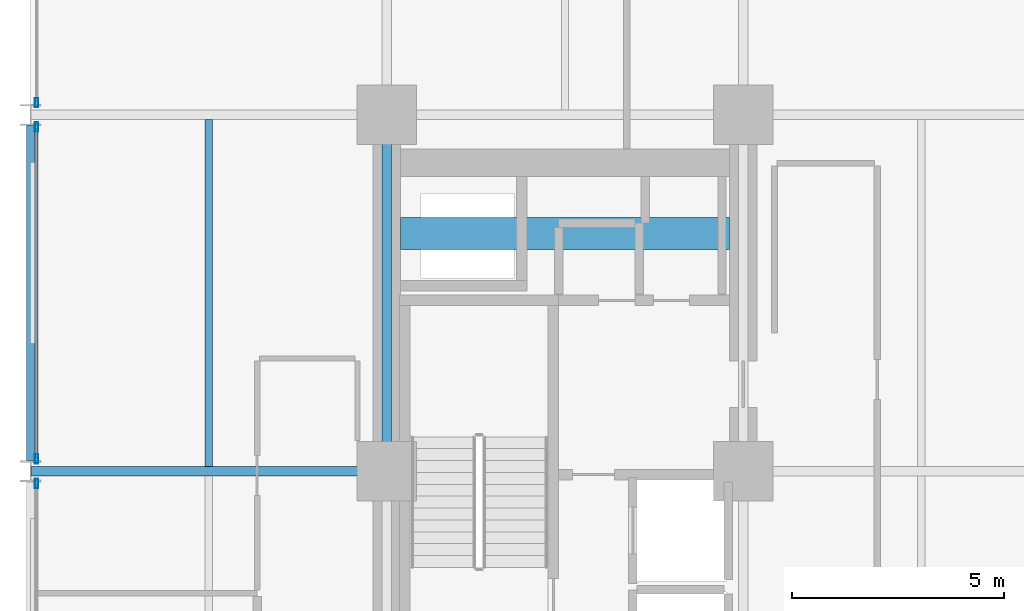
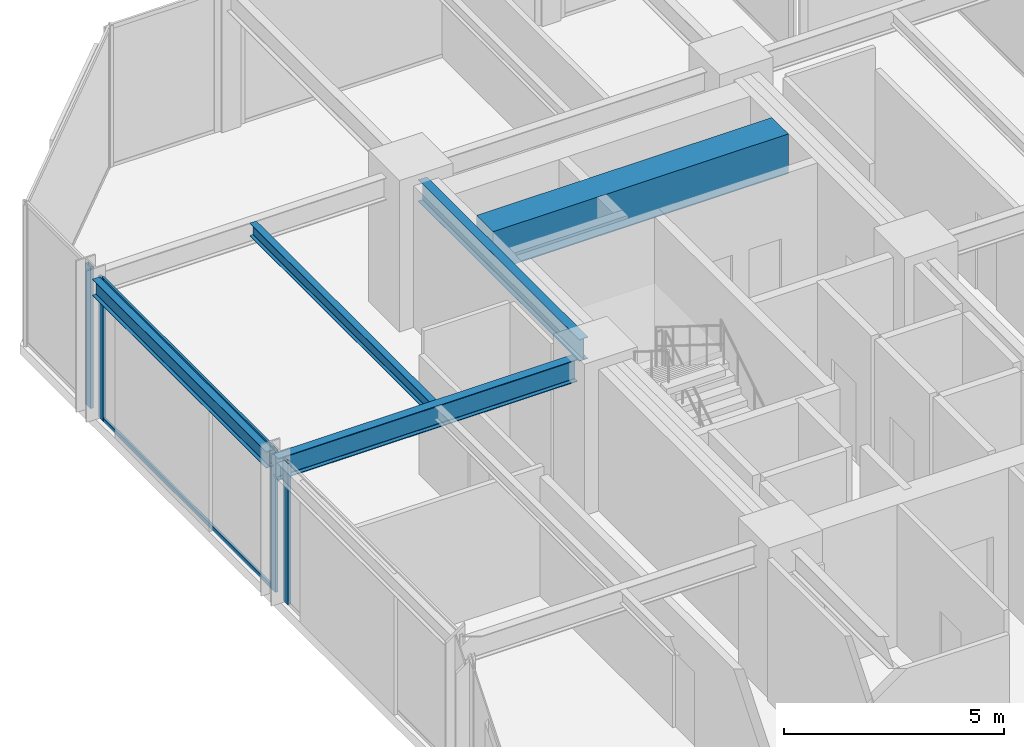
# One storey, part 14 of 24: 6 members, 5 beams, 3 elements without a shape of their own.
"""IFC4 building model written with IfcOpenShell, lengths in metres."""

from ifc_helpers import new_model, si_unit, direction, frame, origin, origin_2d, place, context, subcontext, project, spatial, rectangle, hollow_rectangle, i_section, extrude, material, layer, layer_set, material_profile, profile_set, type_object, element, aggregate, save


model = new_model("IFC4")

# Units and contexts
model_context = context("Model", 3, precision=1e-05, world=origin(), true_north=direction((0.0, 1.0)))
body_context = subcontext(model_context, "Body", "Model", "MODEL_VIEW")
ifc_project = project(units=[si_unit("LENGTHUNIT", "METRE"), si_unit("AREAUNIT", "SQUARE_METRE"), si_unit("VOLUMEUNIT", "CUBIC_METRE"), si_unit("PLANEANGLEUNIT", "RADIAN"), si_unit("MASSUNIT", "GRAM", prefix="KILO")], contexts=[model_context])

# Site, building, storey
site_placement = place(None, origin())
site = spatial("IfcSite", under=ifc_project, at=site_placement, CompositionType="ELEMENT")
building_placement = place(site_placement, origin())
building = spatial("IfcBuilding", under=site, at=building_placement, Name="Nerrivon Quay Data Exchange", CompositionType="ELEMENT")
storey_placement = place(building_placement, frame((0.0, 0.0, 50.0)))
storey = spatial("IfcBuildingStorey", under=building, at=storey_placement, Name="L11", CompositionType="ELEMENT", Elevation=50.0)

# Beams
ifc_material_1 = material(Name="Concrete S65 (65 MPa)", Category="concrete")
ifc_material_profile_1 = material_profile(ifc_material_1, rectangle(XDim=0.75, YDim=1.10009765625, at=origin_2d()), Name="RC-CB-750x1100")
ifc_profile_set_1 = profile_set([ifc_material_profile_1], Name="Concrete S65 (65 MPa)")
beam_type_1 = type_object("IfcBeamType", Name="BM-CB1-750x1100", PredefinedType="LINTEL", material=ifc_profile_set_1)
beam_1_placement = place(storey_placement, frame((8.72509765625, 39.199951171875, 3.375), z_axis=(1.0, 0.0, 0.0), x_axis=(0.0, 1.0, 0.0)))
element("IfcBeam", 1, at=beam_1_placement, inside=storey, type_object=beam_type_1, Name="L11 West Core Coupling Beam", PredefinedType="LINTEL", context=body_context, shape_type="SweptSolid", body=[
    extrude(rectangle(XDim=0.75, YDim=1.10009765625, at=origin_2d()), origin(), (0.0, 0.0, 1.0), 7.75),
])
ifc_material_2 = material(Name="Steel Grade 350", Category="steel")
ifc_material_profile_2 = material_profile(ifc_material_2, i_section(OverallWidth=0.22900390625, OverallDepth=0.612060546875, WebThickness=0.011962890625, FlangeThickness=0.01953125, FilletRadius=0.013916015625, at=origin_2d()), Name="610UB125")
ifc_profile_set_2 = profile_set([ifc_material_profile_2], Name="Steel Grade 350")
beam_type_2 = type_object("IfcBeamType", Name="BM-G1-610UB125", PredefinedType="BEAM", material=ifc_profile_set_2)
beam_2_placement = place(storey_placement, frame((0.013916015625, 33.60009765625, 3.618896484375), z_axis=(1.0, 0.0, 0.0), x_axis=(0.0, 1.0, 0.0)))
element("IfcBeam", 2, at=beam_2_placement, inside=storey, type_object=beam_type_2, Name="L11 EW Girder Y=33.6 (0.0..8.4)", PredefinedType="BEAM", context=body_context, shape_type="SweptSolid", body=[
    extrude(i_section(OverallWidth=0.22900390625, OverallDepth=0.612060546875, WebThickness=0.011962890625, FlangeThickness=0.01953125, FilletRadius=0.013916015625, at=origin_2d()), origin(), (0.0, 0.0, 1.0), 7.84619140625),
])
ifc_material_profile_3 = material_profile(ifc_material_2, i_section(OverallWidth=0.22802734375, OverallDepth=0.60205078125, WebThickness=0.010498046875, FlangeThickness=0.014892578125, FilletRadius=0.013916015625, at=origin_2d()), Name="610UB101")
ifc_profile_set_3 = profile_set([ifc_material_profile_3], Name="Steel Grade 350")
beam_type_3 = type_object("IfcBeamType", Name="BM-G2-610UB101", PredefinedType="BEAM", material=ifc_profile_set_3)
beam_3_placement = place(storey_placement, frame((8.39990234375, 34.139892578125, 3.6240234375), z_axis=(0.0, 1.0, 0.0), x_axis=(-1.0, 0.0, 0.0)))
element("IfcBeam", 3, at=beam_3_placement, inside=storey, type_object=beam_type_3, Name="L11 NS Girder X=8.4 (33.6..42.0)", PredefinedType="BEAM", context=body_context, shape_type="SweptSolid", body=[
    extrude(i_section(OverallWidth=0.22802734375, OverallDepth=0.60205078125, WebThickness=0.010498046875, FlangeThickness=0.014892578125, FilletRadius=0.013916015625, at=origin_2d()), origin(), (0.0, 0.0, 1.0), 7.320068359375),
])
ifc_material_profile_4 = material_profile(ifc_material_2, i_section(OverallWidth=0.172119140625, OverallDepth=0.35888671875, WebThickness=0.008056640625, FlangeThickness=0.012939453125, FilletRadius=0.011474609375, at=origin_2d()), Name="360UB56.7")
ifc_profile_set_4 = profile_set([ifc_material_profile_4], Name="Steel Grade 350")
beam_type_4 = type_object("IfcBeamType", Name="BM-J3-360UB57", PredefinedType="JOIST", material=ifc_profile_set_4)
beam_4_placement = place(storey_placement, frame((4.199951171875, 33.714599609375, 3.74560546875), z_axis=(0.0, 1.0, 0.0), x_axis=(-1.0, 0.0, 0.0)))
element("IfcBeam", 4, at=beam_4_placement, inside=storey, type_object=beam_type_4, Name="L11 Secondary Joist X=4.2 (33.6..42.0)", PredefinedType="JOIST", context=body_context, shape_type="SweptSolid", body=[
    extrude(i_section(OverallWidth=0.172119140625, OverallDepth=0.35888671875, WebThickness=0.008056640625, FlangeThickness=0.012939453125, FilletRadius=0.011474609375, at=origin_2d()), origin(), (0.0, 0.0, 1.0), 8.1708984375),
])
ifc_material_profile_5 = material_profile(ifc_material_2, i_section(OverallWidth=0.18994140625, OverallDepth=0.4541015625, WebThickness=0.008544921875, FlangeThickness=0.0126953125, FilletRadius=0.011474609375, at=origin_2d()), Name="460UB67.1")
ifc_profile_set_5 = profile_set([ifc_material_profile_5], Name="Steel Grade 350")
beam_type_5 = type_object("IfcBeamType", Name="BM-SP1-460UB67", PredefinedType="SPANDREL", material=ifc_profile_set_5)
beam_5_placement = place(storey_placement, frame((0.0, 33.85009765625, 3.697998046875), z_axis=(0.0, 1.0, 0.0), x_axis=(-1.0, 0.0, 0.0)))
element("IfcBeam", 5, at=beam_5_placement, inside=storey, type_object=beam_type_5, Name="L11 NS Girder X=0.0 (33.6..42.0)", PredefinedType="SPANDREL", context=body_context, shape_type="SweptSolid", body=[
    extrude(i_section(OverallWidth=0.18994140625, OverallDepth=0.4541015625, WebThickness=0.008544921875, FlangeThickness=0.0126953125, FilletRadius=0.011474609375, at=origin_2d()), origin(), (0.0, 0.0, 1.0), 7.89990234375),
])

# Curtain wall, member
ifc_material_3 = material(Name="Anodised aluminium 6063-T6", Category="aluminium")
ifc_layer = layer(ifc_material_3, 0.219970703125)
ifc_layer_set = layer_set([ifc_layer], Name="Anodised aluminium 6063-T6")
curtain_wall_type = type_object("IfcCurtainWallType", Name="CW-SYS-01", PredefinedType="NOTDEFINED", material=ifc_layer_set)
curtain_wall_1_placement = place(storey_placement, origin())
curtain_wall_1 = element("IfcCurtainWall", 6, at=curtain_wall_1_placement, inside=storey, type_object=curtain_wall_type, Name="L11 Unitised Curtain Wall 16", PredefinedType="NOTDEFINED")
ifc_material_profile_6 = material_profile(ifc_material_3, hollow_rectangle(XDim=0.074951171875, YDim=0.219970703125, WallThickness=0.00390625, at=origin_2d()), Name="ALU-MULL-220x75")
ifc_profile_set_6 = profile_set([ifc_material_profile_6], Name="Anodised aluminium 6063-T6")
member_type_1 = type_object("IfcMemberType", Name="CWM-220x75", PredefinedType="MULLION", material=ifc_profile_set_6)
member_1_placement = place(storey_placement, frame((0.139892578125, 33.3125, 0.0), z_axis=(0.0, 0.0, 1.0), x_axis=(-1.0, 0.0, 0.0)))
member_1 = element("IfcMember", 7, at=member_1_placement, type_object=member_type_1, Name="CW01 mullion 2", PredefinedType="MULLION", context=body_context, shape_type="SweptSolid", body=[
    extrude(hollow_rectangle(XDim=0.074951171875, YDim=0.219970703125, WallThickness=0.00390625, at=origin_2d()), origin(), (0.0, 0.0, 1.0), 3.925048828125),
])
aggregate(curtain_wall_1, [member_1])

# Curtain wall, members
curtain_wall_2_placement = place(storey_placement, origin())
curtain_wall_2 = element("IfcCurtainWall", 8, at=curtain_wall_2_placement, inside=storey, type_object=curtain_wall_type, Name="L11 Unitised Curtain Wall 17", PredefinedType="NOTDEFINED")
member_2_placement = place(storey_placement, frame((0.139892578125, 33.887451171875, 0.0), z_axis=(0.0, 0.0, 1.0), x_axis=(-1.0, 0.0, 0.0)))
member_2 = element("IfcMember", 9, at=member_2_placement, type_object=member_type_1, Name="CW01 mullion 1", PredefinedType="MULLION", context=body_context, shape_type="SweptSolid", body=[
    extrude(hollow_rectangle(XDim=0.074951171875, YDim=0.219970703125, WallThickness=0.00390625, at=origin_2d()), origin(), (0.0, 0.0, 1.0), 3.925048828125),
])
member_3_placement = place(storey_placement, frame((0.139892578125, 41.71240234375, 0.0), z_axis=(0.0, 0.0, 1.0), x_axis=(-1.0, 0.0, 0.0)))
member_3 = element("IfcMember", 10, at=member_3_placement, type_object=member_type_1, Name="CW01 mullion 2", PredefinedType="MULLION", context=body_context, shape_type="SweptSolid", body=[
    extrude(hollow_rectangle(XDim=0.074951171875, YDim=0.219970703125, WallThickness=0.00390625, at=origin_2d()), origin(), (0.0, 0.0, 1.0), 3.925048828125),
])

# Curtain wall, member
curtain_wall_3_placement = place(storey_placement, origin())
curtain_wall_3 = element("IfcCurtainWall", 11, at=curtain_wall_3_placement, inside=storey, type_object=curtain_wall_type, Name="L11 Unitised Curtain Wall 18", PredefinedType="NOTDEFINED")
member_4_placement = place(storey_placement, frame((0.139892578125, 42.28759765625, 0.0), z_axis=(0.0, 0.0, 1.0), x_axis=(-1.0, 0.0, 0.0)))
member_4 = element("IfcMember", 12, at=member_4_placement, type_object=member_type_1, Name="CW01 mullion 1", PredefinedType="MULLION", context=body_context, shape_type="SweptSolid", body=[
    extrude(hollow_rectangle(XDim=0.074951171875, YDim=0.219970703125, WallThickness=0.00390625, at=origin_2d()), origin(), (0.0, 0.0, 1.0), 3.925048828125),
])
aggregate(curtain_wall_3, [member_4])

# Member
ifc_material_profile_7 = material_profile(ifc_material_3, hollow_rectangle(XDim=0.06005859375, YDim=0.1201171875, WallThickness=0.003173828125, at=origin_2d()), Name="ALU-TRAN-120x60")
ifc_profile_set_7 = profile_set([ifc_material_profile_7], Name="Anodised aluminium 6063-T6")
member_type_2 = type_object("IfcMemberType", Name="CWT-120x60", PredefinedType="USERDEFINED", material=ifc_profile_set_7)
member_5_placement = place(storey_placement, frame((0.139892578125, 33.925048828125, 0.032470703125), z_axis=(0.0, 1.0, 0.0), x_axis=(-1.0, 0.0, 0.0)))
member_5 = element("IfcMember", 13, at=member_5_placement, type_object=member_type_2, Name="CW01 transom 1.1", ObjectType="TRANSOM", PredefinedType="USERDEFINED", context=body_context, shape_type="SweptSolid", body=[
    extrude(hollow_rectangle(XDim=0.06005859375, YDim=0.1201171875, WallThickness=0.003173828125, at=origin_2d()), origin(), (0.0, 0.0, 1.0), 7.75),
])

member_6_placement = place(storey_placement, frame((0.139892578125, 33.925048828125, 3.892578125), z_axis=(0.0, 1.0, 0.0), x_axis=(-1.0, 0.0, 0.0)))
member_6 = element("IfcMember", 14, at=member_6_placement, type_object=member_type_2, Name="CW01 transom 1.2", ObjectType="TRANSOM", PredefinedType="USERDEFINED", context=body_context, shape_type="SweptSolid", body=[
    extrude(hollow_rectangle(XDim=0.06005859375, YDim=0.1201171875, WallThickness=0.003173828125, at=origin_2d()), origin(), (0.0, 0.0, 1.0), 7.75),
])

aggregate(curtain_wall_2, [member_2, member_3, member_5, member_6])

save(model, "model.ifc")
